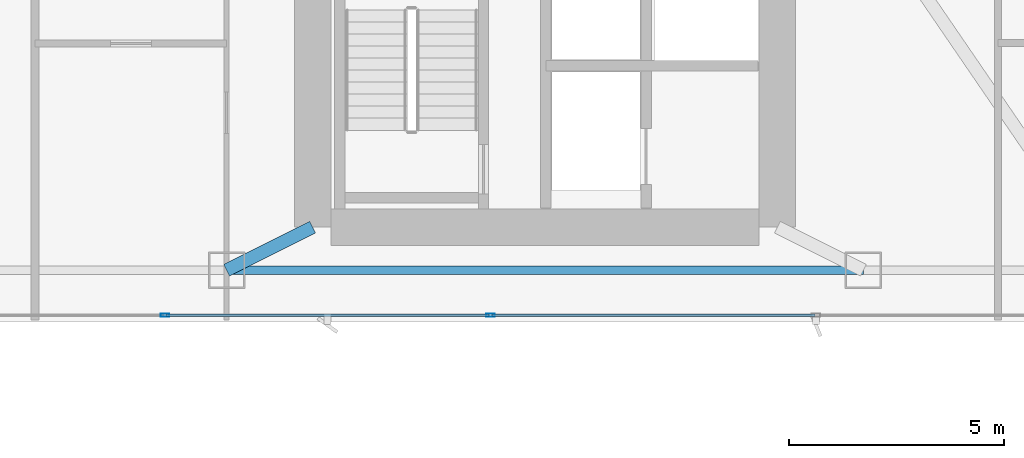
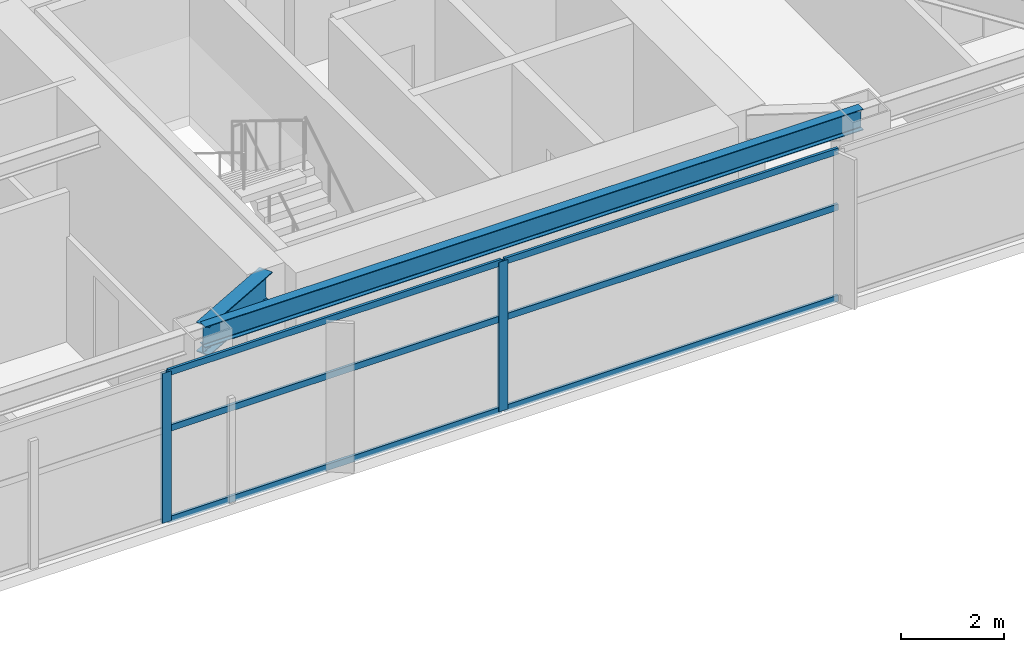
# One storey, part 6 of 29: 8 members, 2 beams, 1 element without a shape of its own.
"""IFC4 building model written with IfcOpenShell, lengths in metres."""

from ifc_helpers import new_model, si_unit, direction, frame, origin, origin_2d, place, context, subcontext, project, spatial, hollow_rectangle, i_section, extrude, material, layer, layer_set, material_profile, profile_set, type_object, element, aggregate, save


model = new_model("IFC4")

# Units and contexts
model_context = context("Model", 3, precision=1e-05, world=origin(), true_north=direction((0.0, 1.0)))
body_context = subcontext(model_context, "Body", "Model", "MODEL_VIEW")
ifc_project = project(units=[si_unit("LENGTHUNIT", "METRE"), si_unit("AREAUNIT", "SQUARE_METRE"), si_unit("VOLUMEUNIT", "CUBIC_METRE"), si_unit("PLANEANGLEUNIT", "RADIAN"), si_unit("MASSUNIT", "GRAM", prefix="KILO")], contexts=[model_context])

# Site, building, storey
site_placement = place(None, origin())
site = spatial("IfcSite", under=ifc_project, at=site_placement, CompositionType="ELEMENT")
building_placement = place(site_placement, origin())
building = spatial("IfcBuilding", under=site, at=building_placement, Name="Calvorn Quay Hotel", CompositionType="ELEMENT")
storey_placement = place(building_placement, frame((0.0, 0.0, 124.0)))
storey = spatial("IfcBuildingStorey", under=building, at=storey_placement, Name="L30", CompositionType="ELEMENT", Elevation=124.0)

# Beams
ifc_material_1 = material(Name="Steel Q390GJC", Category="steel")
ifc_material_profile_1 = material_profile(ifc_material_1, i_section(OverallWidth=0.300048828125, OverallDepth=0.699951171875, WebThickness=0.012939453125, FlangeThickness=0.02392578125, FilletRadius=0.02392578125, at=origin_2d()), Name="HN700x300x13x24")
ifc_profile_set_1 = profile_set([ifc_material_profile_1], Name="Steel Q390GJC")
beam_type_1 = type_object("IfcBeamType", Name="BM-GIRD-MAIN", PredefinedType="BEAM", material=ifc_profile_set_1)
beam_1_placement = place(storey_placement, frame((19.60009765625, 3.60009765625, 3.18994140625), z_axis=(0.894427191, 0.4472135955, 0.0), x_axis=(-0.4472135955, 0.894427191, 0.0)))
element("IfcBeam", 1, at=beam_1_placement, inside=storey, type_object=beam_type_1, Name="Beam BG-L30-S2", PredefinedType="BEAM", context=body_context, shape_type="SweptSolid", body=[
    extrude(i_section(OverallWidth=0.300048828125, OverallDepth=0.699951171875, WebThickness=0.012939453125, FlangeThickness=0.02392578125, FilletRadius=0.02392578125, at=origin_2d()), origin(), (0.0, 0.0, 1.0), 2.236083984375),
])
ifc_material_2 = material(Name="Steel Q355B", Category="steel")
ifc_material_profile_2 = material_profile(ifc_material_2, i_section(OverallWidth=0.199951171875, OverallDepth=0.5, WebThickness=0.010009765625, FlangeThickness=0.01611328125, FilletRadius=0.01611328125, at=origin_2d()), Name="HN500x200x10x16")
ifc_profile_set_2 = profile_set([ifc_material_profile_2], Name="Steel Q355B")
beam_type_2 = type_object("IfcBeamType", Name="BM-SPANDREL-Z1", PredefinedType="SPANDREL", material=ifc_profile_set_2)
beam_2_placement = place(storey_placement, frame((19.60009765625, 3.60009765625, 3.2900390625), z_axis=(1.0, 0.0, 0.0), x_axis=(0.0, 1.0, 0.0)))
element("IfcBeam", 2, at=beam_2_placement, inside=storey, type_object=beam_type_2, Name="Beam BSP-L30-S3", PredefinedType="SPANDREL", context=body_context, shape_type="SweptSolid", body=[
    extrude(i_section(OverallWidth=0.199951171875, OverallDepth=0.5, WebThickness=0.010009765625, FlangeThickness=0.01611328125, FilletRadius=0.01611328125, at=origin_2d()), origin(), (0.0, 0.0, 1.0), 14.7998046875),
])

# Curtain wall, members
ifc_material_3 = material(Name="Pale Anodised Aluminium and Low-E Glass", Category="aluminium")
ifc_layer = layer(ifc_material_3, 0.219970703125)
ifc_layer_set = layer_set([ifc_layer], Name="CW-SYS-Z2")
curtain_wall_type = type_object("IfcCurtainWallType", Name="CW-SYS-Z2", PredefinedType="NOTDEFINED", material=ifc_layer_set)
curtain_wall_placement = place(storey_placement, origin())
curtain_wall = element("IfcCurtainWall", 3, at=curtain_wall_placement, inside=storey, type_object=curtain_wall_type, Name="Tower South Waterfront Curtain Wall (L30)", PredefinedType="NOTDEFINED")
ifc_material_4 = material(Name="Pale Anodised Aluminium 6063-T6", Category="aluminium")
ifc_material_profile_3 = material_profile(ifc_material_4, hollow_rectangle(XDim=0.070068359375, YDim=0.199951171875, WallThickness=0.00390625, at=origin_2d()), Name="ALU-M200x70x4")
ifc_profile_set_3 = profile_set([ifc_material_profile_3], Name="Pale Anodised Aluminium 6063-T6")
member_type_1 = type_object("IfcMemberType", Name="CW-SYS-Z2-MUL", PredefinedType="MULLION", material=ifc_profile_set_3)
member_1_placement = place(storey_placement, frame((18.166748046875, 2.550048828125, 0.0), z_axis=(0.0, 0.0, 1.0), x_axis=(0.0, 1.0, 0.0)))
member_1 = element("IfcMember", 4, at=member_1_placement, type_object=member_type_1, Name="CW-L30-S mullion 2", PredefinedType="MULLION", context=body_context, shape_type="SweptSolid", body=[
    extrude(hollow_rectangle(XDim=0.070068359375, YDim=0.199951171875, WallThickness=0.00390625, at=origin_2d()), origin(), (0.0, 0.0, 1.0), 3.56005859375),
])
member_2_placement = place(storey_placement, frame((25.7333984375, 2.550048828125, 0.0), z_axis=(0.0, 0.0, 1.0), x_axis=(0.0, 1.0, 0.0)))
member_2 = element("IfcMember", 5, at=member_2_placement, type_object=member_type_1, Name="CW-L30-S mullion 3", PredefinedType="MULLION", context=body_context, shape_type="SweptSolid", body=[
    extrude(hollow_rectangle(XDim=0.070068359375, YDim=0.199951171875, WallThickness=0.00390625, at=origin_2d()), origin(), (0.0, 0.0, 1.0), 3.56005859375),
])
ifc_material_5 = material(Name="Pale Anodised Aluminium 6063-T6", Category="aluminium")
ifc_material_profile_4 = material_profile(ifc_material_5, hollow_rectangle(XDim=0.06005859375, YDim=0.14990234375, WallThickness=0.00341796875, at=origin_2d()), Name="ALU-T150x60x3.5")
ifc_profile_set_4 = profile_set([ifc_material_profile_4], Name="Pale Anodised Aluminium 6063-T6")
member_type_2 = type_object("IfcMemberType", Name="CW-SYS-Z2-TRN", PredefinedType="USERDEFINED", material=ifc_profile_set_4)
member_3_placement = place(storey_placement, frame((18.19677734375, 2.550048828125, 0.030029296875), z_axis=(1.0, 0.0, 0.0), x_axis=(0.0, 1.0, 0.0)))
member_3 = element("IfcMember", 6, at=member_3_placement, type_object=member_type_2, Name="CW-L30-S transom 2.1", ObjectType="TRANSOM", PredefinedType="USERDEFINED", context=body_context, shape_type="SweptSolid", body=[
    extrude(hollow_rectangle(XDim=0.06005859375, YDim=0.14990234375, WallThickness=0.00341796875, at=origin_2d()), origin(), (0.0, 0.0, 1.0), 7.506591796875),
])
member_4_placement = place(storey_placement, frame((18.19677734375, 2.550048828125, 2.199951171875), z_axis=(1.0, 0.0, 0.0), x_axis=(0.0, 1.0, 0.0)))
member_4 = element("IfcMember", 7, at=member_4_placement, type_object=member_type_2, Name="CW-L30-S transom 2.2", ObjectType="TRANSOM", PredefinedType="USERDEFINED", context=body_context, shape_type="SweptSolid", body=[
    extrude(hollow_rectangle(XDim=0.06005859375, YDim=0.14990234375, WallThickness=0.00341796875, at=origin_2d()), origin(), (0.0, 0.0, 1.0), 7.506591796875),
])
member_5_placement = place(storey_placement, frame((18.19677734375, 2.550048828125, 3.530029296875), z_axis=(1.0, 0.0, 0.0), x_axis=(0.0, 1.0, 0.0)))
member_5 = element("IfcMember", 8, at=member_5_placement, type_object=member_type_2, Name="CW-L30-S transom 2.3", ObjectType="TRANSOM", PredefinedType="USERDEFINED", context=body_context, shape_type="SweptSolid", body=[
    extrude(hollow_rectangle(XDim=0.06005859375, YDim=0.14990234375, WallThickness=0.00341796875, at=origin_2d()), origin(), (0.0, 0.0, 1.0), 7.506591796875),
])
member_6_placement = place(storey_placement, frame((25.763427734375, 2.550048828125, 0.030029296875), z_axis=(1.0, 0.0, 0.0), x_axis=(0.0, 1.0, 0.0)))
member_6 = element("IfcMember", 9, at=member_6_placement, type_object=member_type_2, Name="CW-L30-S transom 3.1", ObjectType="TRANSOM", PredefinedType="USERDEFINED", context=body_context, shape_type="SweptSolid", body=[
    extrude(hollow_rectangle(XDim=0.06005859375, YDim=0.14990234375, WallThickness=0.00341796875, at=origin_2d()), origin(), (0.0, 0.0, 1.0), 7.506591796875),
])
member_7_placement = place(storey_placement, frame((25.763427734375, 2.550048828125, 2.199951171875), z_axis=(1.0, 0.0, 0.0), x_axis=(0.0, 1.0, 0.0)))
member_7 = element("IfcMember", 10, at=member_7_placement, type_object=member_type_2, Name="CW-L30-S transom 3.2", ObjectType="TRANSOM", PredefinedType="USERDEFINED", context=body_context, shape_type="SweptSolid", body=[
    extrude(hollow_rectangle(XDim=0.06005859375, YDim=0.14990234375, WallThickness=0.00341796875, at=origin_2d()), origin(), (0.0, 0.0, 1.0), 7.506591796875),
])
member_8_placement = place(storey_placement, frame((25.763427734375, 2.550048828125, 3.530029296875), z_axis=(1.0, 0.0, 0.0), x_axis=(0.0, 1.0, 0.0)))
member_8 = element("IfcMember", 11, at=member_8_placement, type_object=member_type_2, Name="CW-L30-S transom 3.3", ObjectType="TRANSOM", PredefinedType="USERDEFINED", context=body_context, shape_type="SweptSolid", body=[
    extrude(hollow_rectangle(XDim=0.06005859375, YDim=0.14990234375, WallThickness=0.00341796875, at=origin_2d()), origin(), (0.0, 0.0, 1.0), 7.506591796875),
])
aggregate(curtain_wall, [member_1, member_2, member_3, member_4, member_5, member_6, member_7, member_8])

save(model, "model.ifc")
